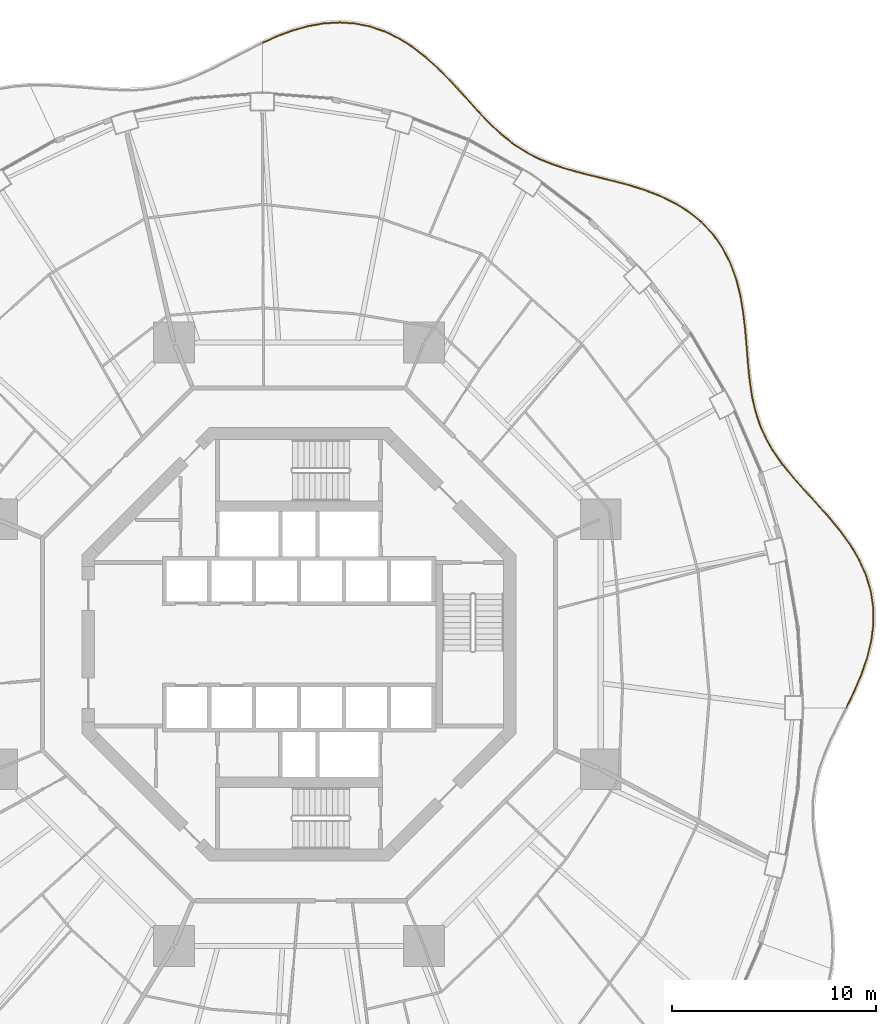
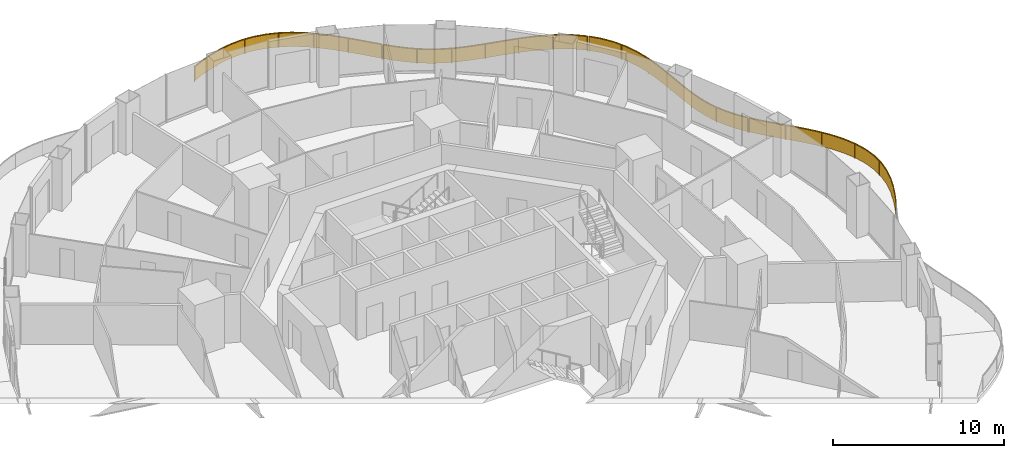
# One storey, part 20 of 20: 4 railings.
"""IFC4 building model written with IfcOpenShell, lengths in metres."""

from ifc_helpers import new_model, si_unit, direction, frame, origin, origin_2d, place, context, subcontext, project, spatial, polyline, rectangle, outline, extrude, material, type_object, element, save


model = new_model("IFC4")

# Units and contexts
model_context = context("Model", 3, precision=1e-05, world=origin(), true_north=direction((0.0, 1.0)))
body_context = subcontext(model_context, "Body", "Model", "MODEL_VIEW")
ifc_project = project(units=[si_unit("LENGTHUNIT", "METRE"), si_unit("AREAUNIT", "SQUARE_METRE"), si_unit("VOLUMEUNIT", "CUBIC_METRE"), si_unit("PLANEANGLEUNIT", "RADIAN"), si_unit("MASSUNIT", "GRAM", prefix="KILO")], contexts=[model_context])

# Site, building, storey
site_placement = place(None, origin())
site = spatial("IfcSite", under=ifc_project, at=site_placement, CompositionType="ELEMENT")
building_placement = place(site_placement, origin())
building = spatial("IfcBuilding", under=site, at=building_placement, Name="Nagisa Residences", CompositionType="ELEMENT")
storey_placement = place(building_placement, frame((0.0, 0.0, 141.800048828125)))
storey = spatial("IfcBuildingStorey", under=building, at=storey_placement, Name="L35", CompositionType="ELEMENT", Elevation=141.800048828125)

# Railings
ifc_material = material(Name="Stainless steel 316", Category="steel")
railing_type = type_object("IfcRailingType", Name="BALCONY GUARD 1100", PredefinedType="BALUSTRADE", material=ifc_material)
railing_1_placement = place(storey_placement, frame((26.825439453125, -3.08349609375, 0.0)))
element("IfcRailing", 1, at=railing_1_placement, inside=storey, type_object=railing_type, Name="guard:L35:bal00-0", PredefinedType="BALUSTRADE", context=body_context, shape_type="SweptSolid", body=[
    extrude(outline(polyline([(0.33984375, 0.761474609375), (-0.0224609375, 0.010986328125), (0.0224609375, -0.010986328125), (0.38525390625, 0.740478515625), (0.732666015625, 1.5498046875), (1.021728515625, 2.3720703125), (1.230224609375, 3.203125), (1.33984375, 4.035888671875), (1.33935546875, 4.849609375), (1.220458984375, 5.66455078125), (0.9853515625, 6.459716796875), (0.642333984375, 7.228759765625), (0.2060546875, 7.968994140625), (-0.30078125, 8.665283203125), (-0.861083984375, 9.346435546875), (-1.44677734375, 10.003173828125), (-2.03173828125, 10.642333984375), (-2.591796875, 11.27197265625), (-3.080810546875, 11.868408203125), (-3.119384765625, 11.836669921875), (-2.6298828125, 11.2392578125), (-2.06884765625, 10.608642578125), (-1.48388671875, 9.969482421875), (-0.899169921875, 9.313720703125), (-0.34033203125, 8.634521484375), (0.1640625, 7.941650390625), (0.597900390625, 7.205810546875), (0.9384765625, 6.442138671875), (1.171630859375, 5.65380859375), (1.28955078125, 4.84619140625), (1.28955078125, 4.039306640625), (1.180908203125, 3.21240234375), (0.973876953125, 2.38671875), (0.685791015625, 1.56787109375), (0.33984375, 0.761474609375)])), frame((0.0, 0.0, 1.050048828125)), (0.0, 0.0, 1.0), 0.050048828125),
    extrude(outline(polyline([(0.356201171875, 0.75390625), (-0.00634765625, 0.0029296875), (0.00634765625, -0.0029296875), (0.368896484375, 0.748046875), (0.7158203125, 1.556396484375), (1.00439453125, 2.37744140625), (1.21240234375, 3.20654296875), (1.32177734375, 4.037109375), (1.321533203125, 4.848388671875), (1.202880859375, 5.66064453125), (0.968505859375, 6.453369140625), (0.62646484375, 7.220458984375), (0.19091796875, 7.959228515625), (-0.31494140625, 8.654296875), (-0.874755859375, 9.334716796875), (-1.460205078125, 9.990966796875), (-2.045166015625, 10.630126953125), (-2.60546875, 11.26025390625), (-3.0947265625, 11.85693359375), (-3.10546875, 11.84814453125), (-2.6162109375, 11.2509765625), (-2.055419921875, 10.620849609375), (-1.470458984375, 9.981689453125), (-0.885498046875, 9.325439453125), (-0.326171875, 8.6455078125), (0.17919921875, 7.951416015625), (0.61376953125, 7.214111328125), (0.955322265625, 6.448486328125), (1.189208984375, 5.65771484375), (1.307373046875, 4.847412109375), (1.3076171875, 4.0380859375), (1.19873046875, 3.208984375), (0.9912109375, 2.38134765625), (0.70263671875, 1.561279296875), (0.356201171875, 0.75390625)])), frame((0.0, 0.0, 0.06005859375)), (0.0, 0.0, 1.0), 0.989990234375),
    extrude(rectangle(XDim=0.0400390625, YDim=0.0400390625, at=origin_2d()), origin(), (0.0, 0.0, 1.0), 1.050048828125),
    extrude(rectangle(XDim=0.0400390625, YDim=0.0400390625, at=origin_2d()), frame((0.888916015625, 2.069580078125, 0.0)), (0.0, 0.0, 1.0), 1.050048828125),
    extrude(rectangle(XDim=0.0400390625, YDim=0.0400390625, at=origin_2d()), frame((1.314697265625, 4.2724609375, 0.0)), (0.0, 0.0, 1.0), 1.050048828125),
    extrude(rectangle(XDim=0.0400390625, YDim=0.0400390625, at=origin_2d()), frame((0.9482421875, 6.4814453125, 0.0)), (0.0, 0.0, 1.0), 1.050048828125),
    extrude(rectangle(XDim=0.0400390625, YDim=0.0400390625, at=origin_2d()), frame((-0.163330078125, 8.433837890625, 0.0)), (0.0, 0.0, 1.0), 1.050048828125),
    extrude(rectangle(XDim=0.0400390625, YDim=0.0400390625, at=origin_2d()), frame((-1.61865234375, 10.154052734375, 0.0)), (0.0, 0.0, 1.0), 1.050048828125),
    extrude(rectangle(XDim=0.0400390625, YDim=0.0400390625, at=origin_2d()), frame((-3.10009765625, 11.8525390625, 0.0)), (0.0, 0.0, 1.0), 1.050048828125),
])
railing_2_placement = place(storey_placement, frame((23.6796875, 8.825439453125, 0.0)))
element("IfcRailing", 2, at=railing_2_placement, inside=storey, type_object=railing_type, Name="guard:L35:bal01-0", PredefinedType="BALUSTRADE", context=body_context, shape_type="SweptSolid", body=[
    extrude(outline(polyline([(-0.437255859375, 0.572998046875), (-0.0205078125, -0.014404296875), (0.0205078125, 0.014404296875), (-0.395263671875, 0.600341796875), (-0.766845703125, 1.23974609375), (-1.066650390625, 1.906005859375), (-1.29638671875, 2.605224609375), (-1.46337890625, 3.3408203125), (-1.572998046875, 4.099853515625), (-1.655029296875, 4.905029296875), (-1.721923828125, 5.737060546875), (-1.794921875, 6.586669921875), (-1.89453125, 7.44091796875), (-2.033203125, 8.27392578125), (-2.243896484375, 9.095947265625), (-2.53271484375, 9.87890625), (-2.908203125, 10.60986328125), (-3.3740234375, 11.27685546875), (-3.896484375, 11.835693359375), (-3.93310546875, 11.801513671875), (-3.4130859375, 11.2451171875), (-2.951171875, 10.583984375), (-2.57861328125, 9.85888671875), (-2.291748046875, 9.080810546875), (-2.08203125, 8.263671875), (-1.9443359375, 7.43408203125), (-1.8447265625, 6.581787109375), (-1.771728515625, 5.733154296875), (-1.704833984375, 4.900634765625), (-1.622802734375, 4.093505859375), (-1.5126953125, 3.33154296875), (-1.3447265625, 2.592041015625), (-1.113525390625, 1.887939453125), (-0.811279296875, 1.216796875), (-0.437255859375, 0.572998046875)])), frame((0.0, 0.0, 1.050048828125)), (0.0, 0.0, 1.0), 0.050048828125),
    extrude(outline(polyline([(-0.422119140625, 0.582763671875), (-0.005615234375, -0.004150390625), (0.005615234375, 0.004150390625), (-0.410400390625, 0.590576171875), (-0.78271484375, 1.2314453125), (-1.08349609375, 1.8994140625), (-1.313720703125, 2.6005859375), (-1.481201171875, 3.33740234375), (-1.591064453125, 4.09765625), (-1.6728515625, 4.903564453125), (-1.73974609375, 5.735595703125), (-1.812744140625, 6.5849609375), (-1.91259765625, 7.4384765625), (-2.05078125, 8.270263671875), (-2.26123046875, 9.090576171875), (-2.54931640625, 9.871826171875), (-2.923583984375, 10.6005859375), (-3.38818359375, 11.265380859375), (-3.90966796875, 11.823486328125), (-3.919921875, 11.813720703125), (-3.39892578125, 11.256591796875), (-2.935791015625, 10.59326171875), (-2.56201171875, 9.865966796875), (-2.2744140625, 9.086181640625), (-2.064453125, 8.267333984375), (-1.92626953125, 7.4365234375), (-1.826904296875, 6.58349609375), (-1.75390625, 5.734619140625), (-1.68701171875, 4.902099609375), (-1.604736328125, 4.095703125), (-1.494873046875, 3.3349609375), (-1.327392578125, 2.5966796875), (-1.0966796875, 1.89453125), (-0.79541015625, 1.22509765625), (-0.422119140625, 0.582763671875)])), frame((0.0, 0.0, 0.06005859375)), (0.0, 0.0, 1.0), 0.989990234375),
    extrude(rectangle(XDim=0.0400390625, YDim=0.0400390625, at=origin_2d()), origin(), (0.0, 0.0, 1.0), 1.050048828125),
    extrude(rectangle(XDim=0.0400390625, YDim=0.0400390625, at=origin_2d()), frame((-1.059814453125, 1.829833984375, 0.0)), (0.0, 0.0, 1.0), 1.050048828125),
    extrude(rectangle(XDim=0.0400390625, YDim=0.0400390625, at=origin_2d()), frame((-1.567138671875, 3.88330078125, 0.0)), (0.0, 0.0, 1.0), 1.050048828125),
    extrude(rectangle(XDim=0.0400390625, YDim=0.0400390625, at=origin_2d()), frame((-1.76904296875, 5.994384765625, 0.0)), (0.0, 0.0, 1.0), 1.050048828125),
    extrude(rectangle(XDim=0.0400390625, YDim=0.0400390625, at=origin_2d()), frame((-2.029296875, 8.0986328125, 0.0)), (0.0, 0.0, 1.0), 1.050048828125),
    extrude(rectangle(XDim=0.0400390625, YDim=0.0400390625, at=origin_2d()), frame((-2.679443359375, 10.109619140625, 0.0)), (0.0, 0.0, 1.0), 1.050048828125),
    extrude(rectangle(XDim=0.0400390625, YDim=0.0400390625, at=origin_2d()), frame((-3.914794921875, 11.818603515625, 0.0)), (0.0, 0.0, 1.0), 1.050048828125),
])
railing_3_placement = place(storey_placement, frame((19.708251953125, 20.69677734375, 0.0)))
element("IfcRailing", 3, at=railing_3_placement, inside=storey, type_object=railing_type, Name="guard:L35:bal02-0", PredefinedType="BALUSTRADE", context=body_context, shape_type="SweptSolid", body=[
    extrude(outline(polyline([(-0.58251953125, 0.442626953125), (-0.015869140625, -0.019287109375), (0.015869140625, 0.019287109375), (-0.55322265625, 0.483154296875), (-1.224853515625, 0.908203125), (-1.94921875, 1.266845703125), (-2.712890625, 1.56640625), (-3.499755859375, 1.817138671875), (-4.28271484375, 2.022216796875), (-5.07080078125, 2.218017578125), (-5.84033203125, 2.410400390625), (-6.580322265625, 2.614990234375), (-7.28466796875, 2.84716796875), (-7.935302734375, 3.11083984375), (-8.56103515625, 3.43408203125), (-9.151123046875, 3.813720703125), (-9.71240234375, 4.251953125), (-10.25341796875, 4.74609375), (-10.751953125, 5.258056640625), (-10.78759765625, 5.222900390625), (-10.2880859375, 4.7099609375), (-9.74462890625, 4.2138671875), (-9.179931640625, 3.772705078125), (-8.5859375, 3.390625), (-7.956298828125, 3.0654296875), (-7.3017578125, 2.80029296875), (-6.594970703125, 2.567138671875), (-5.85302734375, 2.362060546875), (-5.0830078125, 2.169677734375), (-4.294921875, 1.973876953125), (-3.513916015625, 1.769287109375), (-2.7294921875, 1.51904296875), (-1.9697265625, 1.220947265625), (-1.249267578125, 0.86474609375), (-0.58251953125, 0.442626953125)])), frame((0.0, 0.0, 1.050048828125)), (0.0, 0.0, 1.0), 0.050048828125),
    extrude(outline(polyline([(-0.572021484375, 0.457275390625), (-0.00439453125, -0.00537109375), (0.00439453125, 0.00537109375), (-0.563720703125, 0.468505859375), (-1.233642578125, 0.892578125), (-1.95654296875, 1.250244140625), (-2.71875, 1.54931640625), (-3.5048828125, 1.800048828125), (-4.287109375, 2.0048828125), (-5.0751953125, 2.20068359375), (-5.844970703125, 2.39306640625), (-6.585693359375, 2.59765625), (-7.290771484375, 2.830322265625), (-7.94287109375, 3.094482421875), (-8.570068359375, 3.41845703125), (-9.161376953125, 3.798828125), (-9.723876953125, 4.23828125), (-10.265869140625, 4.733154296875), (-10.7646484375, 5.245361328125), (-10.77490234375, 5.235595703125), (-10.275634765625, 4.722900390625), (-9.733154296875, 4.2275390625), (-9.169677734375, 3.78759765625), (-8.576904296875, 3.40625), (-7.94873046875, 3.081787109375), (-7.295654296875, 2.817138671875), (-6.589599609375, 2.58447265625), (-5.848388671875, 2.37939453125), (-5.07861328125, 2.18701171875), (-4.29052734375, 1.9912109375), (-3.5087890625, 1.786376953125), (-2.7236328125, 1.5361328125), (-1.96240234375, 1.237548828125), (-1.240478515625, 0.88037109375), (-0.572021484375, 0.457275390625)])), frame((0.0, 0.0, 0.06005859375)), (0.0, 0.0, 1.0), 0.989990234375),
    extrude(rectangle(XDim=0.0400390625, YDim=0.0400390625, at=origin_2d()), origin(), (0.0, 0.0, 1.0), 1.050048828125),
    extrude(rectangle(XDim=0.0400390625, YDim=0.0400390625, at=origin_2d()), frame((-1.689697265625, 1.1103515625, 0.0)), (0.0, 0.0, 1.0), 1.050048828125),
    extrude(rectangle(XDim=0.0400390625, YDim=0.0400390625, at=origin_2d()), frame((-3.58984375, 1.81494140625, 0.0)), (0.0, 0.0, 1.0), 1.050048828125),
    extrude(rectangle(XDim=0.0400390625, YDim=0.0400390625, at=origin_2d()), frame((-5.55712890625, 2.313720703125, 0.0)), (0.0, 0.0, 1.0), 1.050048828125),
    extrude(rectangle(XDim=0.0400390625, YDim=0.0400390625, at=origin_2d()), frame((-7.49658203125, 2.906005859375, 0.0)), (0.0, 0.0, 1.0), 1.050048828125),
    extrude(rectangle(XDim=0.0400390625, YDim=0.0400390625, at=origin_2d()), frame((-9.271484375, 3.8759765625, 0.0)), (0.0, 0.0, 1.0), 1.050048828125),
    extrude(rectangle(XDim=0.0400390625, YDim=0.0400390625, at=origin_2d()), frame((-10.769775390625, 5.240478515625, 0.0)), (0.0, 0.0, 1.0), 1.050048828125),
])
railing_4_placement = place(storey_placement, frame((8.88916015625, 25.99267578125, 0.0)))
element("IfcRailing", 4, at=railing_4_placement, inside=storey, type_object=railing_type, Name="guard:L35:bal03-0", PredefinedType="BALUSTRADE", context=body_context, shape_type="SweptSolid", body=[
    extrude(outline(polyline([(-0.4990234375, 0.509765625), (-0.0185546875, -0.016845703125), (0.0185546875, 0.016845703125), (-0.4619140625, 0.54345703125), (-0.984130859375, 1.1220703125), (-1.525146484375, 1.70458984375), (-2.092041015625, 2.273681640625), (-2.68994140625, 2.810791015625), (-3.30517578125, 3.29248046875), (-3.971923828125, 3.712890625), (-4.67138671875, 4.052734375), (-5.399658203125, 4.301513671875), (-6.151123046875, 4.45263671875), (-6.90185546875, 4.501220703125), (-7.6748046875, 4.45458984375), (-8.449462890625, 4.318115234375), (-9.217041015625, 4.102294921875), (-9.9716796875, 3.822021484375), (-10.66455078125, 3.510498046875), (-10.64404296875, 3.465087890625), (-9.95263671875, 3.775634765625), (-9.201416015625, 4.054443359375), (-8.438232421875, 4.269287109375), (-7.6689453125, 4.40478515625), (-6.90185546875, 4.450927734375), (-6.157470703125, 4.40283203125), (-5.412841796875, 4.253173828125), (-4.6904296875, 4.00634765625), (-3.996337890625, 3.6689453125), (-3.333984375, 3.25146484375), (-2.72216796875, 2.772216796875), (-2.126708984375, 2.237548828125), (-1.561279296875, 1.669921875), (-1.021240234375, 1.08837890625), (-0.4990234375, 0.509765625)])), frame((0.0, 0.0, 1.050048828125)), (0.0, 0.0, 1.0), 0.050048828125),
    extrude(outline(polyline([(-0.485595703125, 0.52197265625), (-0.005126953125, -0.004638671875), (0.005126953125, 0.004638671875), (-0.475341796875, 0.53125), (-0.99755859375, 1.10986328125), (-1.5380859375, 1.692138671875), (-2.1044921875, 2.2607421875), (-2.70166015625, 2.796875), (-3.3154296875, 3.277587890625), (-3.980712890625, 3.697021484375), (-4.67822265625, 4.0361328125), (-5.404541015625, 4.2841796875), (-6.1533203125, 4.4345703125), (-6.90185546875, 4.483154296875), (-7.672607421875, 4.436767578125), (-8.4453125, 4.300537109375), (-9.21142578125, 4.0849609375), (-9.96484375, 3.805419921875), (-10.6572265625, 3.494140625), (-10.6513671875, 3.4814453125), (-9.95947265625, 3.792236328125), (-9.20703125, 4.07177734375), (-8.4423828125, 4.286865234375), (-7.671142578125, 4.422607421875), (-6.90185546875, 4.468994140625), (-6.1552734375, 4.4208984375), (-5.407958984375, 4.2705078125), (-4.68359375, 4.02294921875), (-3.987548828125, 3.684814453125), (-3.32373046875, 3.266357421875), (-2.71044921875, 2.7861328125), (-2.1142578125, 2.25048828125), (-1.54833984375, 1.682373046875), (-1.0078125, 1.1005859375), (-0.485595703125, 0.52197265625)])), frame((0.0, 0.0, 0.06005859375)), (0.0, 0.0, 1.0), 0.989990234375),
    extrude(rectangle(XDim=0.0400390625, YDim=0.0400390625, at=origin_2d()), origin(), (0.0, 0.0, 1.0), 1.050048828125),
    extrude(rectangle(XDim=0.0400390625, YDim=0.0400390625, at=origin_2d()), frame((-1.39599609375, 1.52880859375, 0.0)), (0.0, 0.0, 1.0), 1.050048828125),
    extrude(rectangle(XDim=0.0400390625, YDim=0.0400390625, at=origin_2d()), frame((-2.902587890625, 2.9453125, 0.0)), (0.0, 0.0, 1.0), 1.050048828125),
    extrude(rectangle(XDim=0.0400390625, YDim=0.0400390625, at=origin_2d()), frame((-4.6630859375, 4.02099609375, 0.0)), (0.0, 0.0, 1.0), 1.050048828125),
    extrude(rectangle(XDim=0.0400390625, YDim=0.0400390625, at=origin_2d()), frame((-6.67431640625, 4.46142578125, 0.0)), (0.0, 0.0, 1.0), 1.050048828125),
    extrude(rectangle(XDim=0.0400390625, YDim=0.0400390625, at=origin_2d()), frame((-8.719970703125, 4.216064453125, 0.0)), (0.0, 0.0, 1.0), 1.050048828125),
    extrude(rectangle(XDim=0.0400390625, YDim=0.0400390625, at=origin_2d()), frame((-10.654296875, 3.48779296875, 0.0)), (0.0, 0.0, 1.0), 1.050048828125),
])

save(model, "model.ifc")
